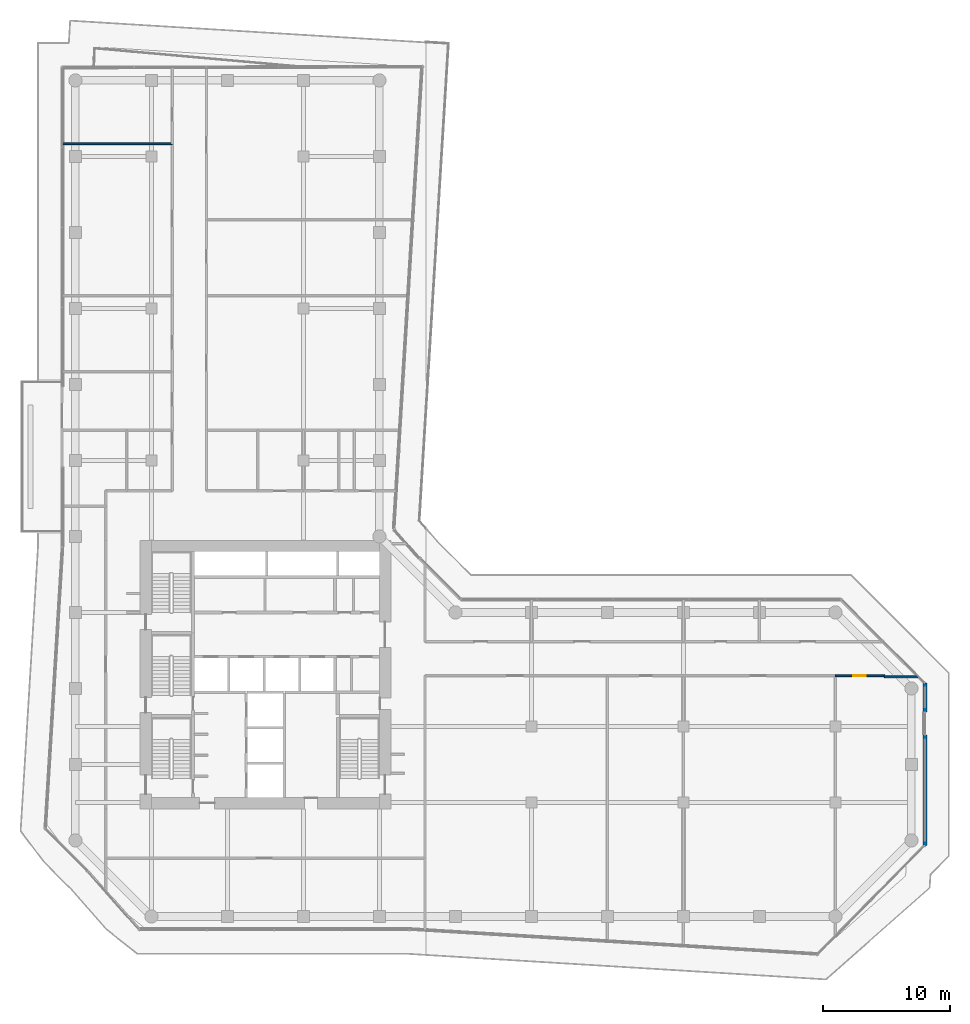
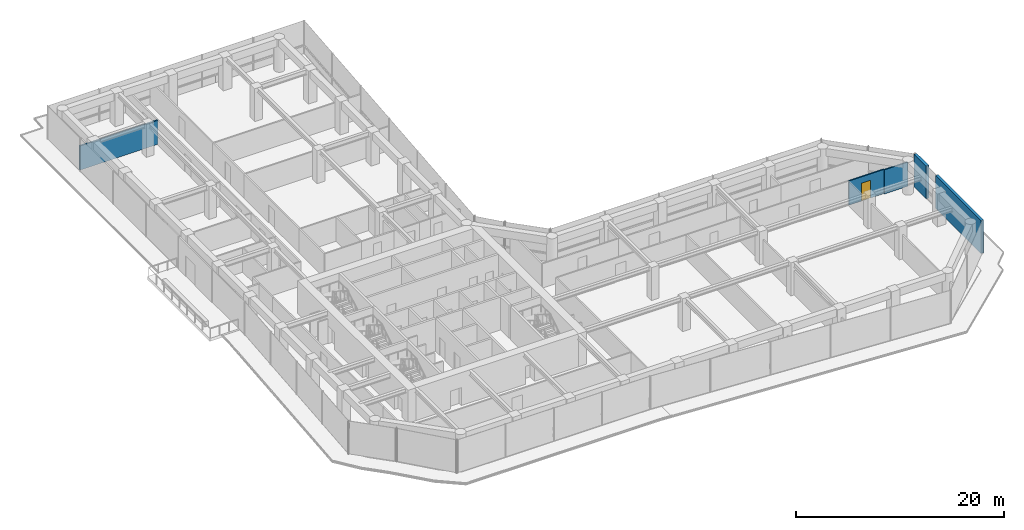
# One storey, part 24 of 27: 5 walls, 1 door, 1 opening.
"""IFC4 building model written with IfcOpenShell, lengths in metres."""

from ifc_helpers import new_model, si_unit, direction, frame, frame_2d, origin, place, context, subcontext, project, spatial, rectangle, extrude, material, layer, layer_set, type_object, element, fill, save


model = new_model("IFC4")

# Units and contexts
model_context = context("Model", 3, precision=1e-05, world=origin(), true_north=direction((0.0, 1.0)))
body_context = subcontext(model_context, "Body", "Model", "MODEL_VIEW")
ifc_project = project(units=[si_unit("LENGTHUNIT", "METRE"), si_unit("AREAUNIT", "SQUARE_METRE"), si_unit("VOLUMEUNIT", "CUBIC_METRE"), si_unit("PLANEANGLEUNIT", "RADIAN"), si_unit("MASSUNIT", "GRAM", prefix="KILO")], contexts=[model_context])

# Site, building, storey
site_placement = place(None, origin())
site = spatial("IfcSite", under=ifc_project, at=site_placement, CompositionType="ELEMENT")
building_placement = place(site_placement, origin())
building = spatial("IfcBuilding", under=site, at=building_placement, Name="Welwitschia Terrace Campus", CompositionType="ELEMENT")
storey_placement = place(building_placement, frame((0.0, 0.0, 37.39990234375)))
storey = spatial("IfcBuildingStorey", under=building, at=storey_placement, Name="L08", CompositionType="ELEMENT", Elevation=37.39990234375)

# Walls
ifc_material_1 = material(Name="Gypsum board on steel studs", Category="steel")
ifc_layer_1 = layer(ifc_material_1, 0.14990234375)
ifc_layer_set_1 = layer_set([ifc_layer_1], Name="Gypsum board on steel studs")
wall_type_1 = type_object("IfcWallType", Name="Corridor partition 150 EI 30", PredefinedType="PARTITIONING", material=ifc_layer_set_1)
wall_1_placement = place(storey_placement, frame((-1.010009765625, 57.0, 0.0), z_axis=(0.0, 0.0, 1.0), x_axis=(1.0, 0.0, 0.0)))
element("IfcWall", 1, at=wall_1_placement, inside=storey, type_object=wall_type_1, Name="Partition", PredefinedType="PARTITIONING", context=body_context, shape_type="SweptSolid", body=[
    extrude(rectangle(XDim=8.659912109375, YDim=0.14990234375, at=frame_2d((4.330078125, 0.0))), origin(), (0.0, 0.0, 1.0), 2.830078125),
])
wall_2_placement = place(storey_placement, frame((63.8701171875, 14.919921875, 0.0), z_axis=(0.0, 0.0, 1.0), x_axis=(1.0, 0.0, 0.0)))
element("IfcWall", 2, at=wall_2_placement, inside=storey, type_object=wall_type_1, Name="Partition", PredefinedType="PARTITIONING", context=body_context, shape_type="SweptSolid", body=[
    extrude(rectangle(XDim=2.621337890625, YDim=0.14990234375, at=frame_2d((1.310546875, 0.0))), origin(), (0.0, 0.0, 1.0), 2.830078125),
])

# Wall, opening, door
wall_3_placement = place(storey_placement, frame((63.89990234375, 15.0, 0.0), z_axis=(0.0, 0.0, 1.0), x_axis=(-1.0, 0.0, 0.0)))
wall_3 = element("IfcWall", 3, at=wall_3_placement, inside=storey, type_object=wall_type_1, Name="Partition", PredefinedType="PARTITIONING", context=body_context, shape_type="SweptSolid", body=[
    extrude(rectangle(XDim=3.89990234375, YDim=0.14990234375, at=frame_2d((1.949951171875, 0.0))), origin(), (0.0, 0.0, 1.0), 2.830078125),
])
opening_placement = place(wall_3_placement, frame((1.5, 0.0, 0.0)))
opening = element("IfcOpeningElement", 4, at=opening_placement, cuts=wall_3, Name="Opening DI10", PredefinedType="OPENING", context=body_context, shape_type="SweptSolid", body=[
    extrude(rectangle(XDim=1.0, YDim=2.10009765625, at=frame_2d((0.5, 1.050048828125))), frame((0.0, 0.0849609375, 0.0), z_axis=(0.0, -1.0, 0.0), x_axis=(1.0, 0.0, 0.0)), (0.0, 0.0, 1.0), 0.169921875),
])
ifc_material_2 = material(Name="Timber veneered door", Category="wood")
door_type = type_object("IfcDoorType", Name="Interior door DI10", OperationType="NOTDEFINED", PredefinedType="DOOR", material=ifc_material_2)
door_placement = place(opening_placement, origin())
door = element("IfcDoor", 5, at=door_placement, inside=storey, type_object=door_type, Name="Door L08 208", OperationType="SINGLE_SWING_LEFT", OverallHeight=2.10009765625, OverallWidth=1.0, PredefinedType="DOOR", context=body_context, shape_type="SweptSolid", body=[
    extrude(rectangle(XDim=1.0, YDim=2.10009765625, at=frame_2d((0.5, 1.050048828125))), frame((0.0, 0.02490234375, 0.0), z_axis=(0.0, -1.0, 0.0), x_axis=(1.0, 0.0, 0.0)), (0.0, 0.0, 1.0), 0.050048828125),
])
fill(opening, door)

# Walls
ifc_material_3 = material(Name="Concrete C40/50", Category="concrete")
ifc_layer_2 = layer(ifc_material_3, 0.300048828125)
ifc_layer_set_2 = layer_set([ifc_layer_2], Name="Concrete C40/50")
wall_type_2 = type_object("IfcWallType", Name="Mass wall 300", PredefinedType="SOLIDWALL", material=ifc_layer_set_2)
wall_4_placement = place(storey_placement, frame((67.080078125, 1.5849609375, 0.0), z_axis=(0.0, 0.0, 1.0), x_axis=(0.0, 1.0, 0.0)))
element("IfcWall", 6, at=wall_4_placement, inside=storey, type_object=wall_type_2, Name="Mass wall L08.6.0", PredefinedType="SOLIDWALL", context=body_context, shape_type="SweptSolid", body=[
    extrude(rectangle(XDim=8.739990234375, YDim=0.300048828125, at=frame_2d((4.3701171875, 0.0))), origin(), (0.0, 0.0, 1.0), 3.85009765625),
])
wall_5_placement = place(storey_placement, frame((67.078857421875, 12.125, 0.0), z_axis=(0.0, 0.0, 1.0), x_axis=(0.0, 1.0, 0.0)))
element("IfcWall", 7, at=wall_5_placement, inside=storey, type_object=wall_type_2, Name="Mass wall L08.6.1", PredefinedType="SOLIDWALL", context=body_context, shape_type="SweptSolid", body=[
    extrude(rectangle(XDim=2.313232421875, YDim=0.300048828125, at=frame_2d((1.15673828125, 0.0))), origin(), (0.0, 0.0, 1.0), 3.85009765625),
])

save(model, "model.ifc")
